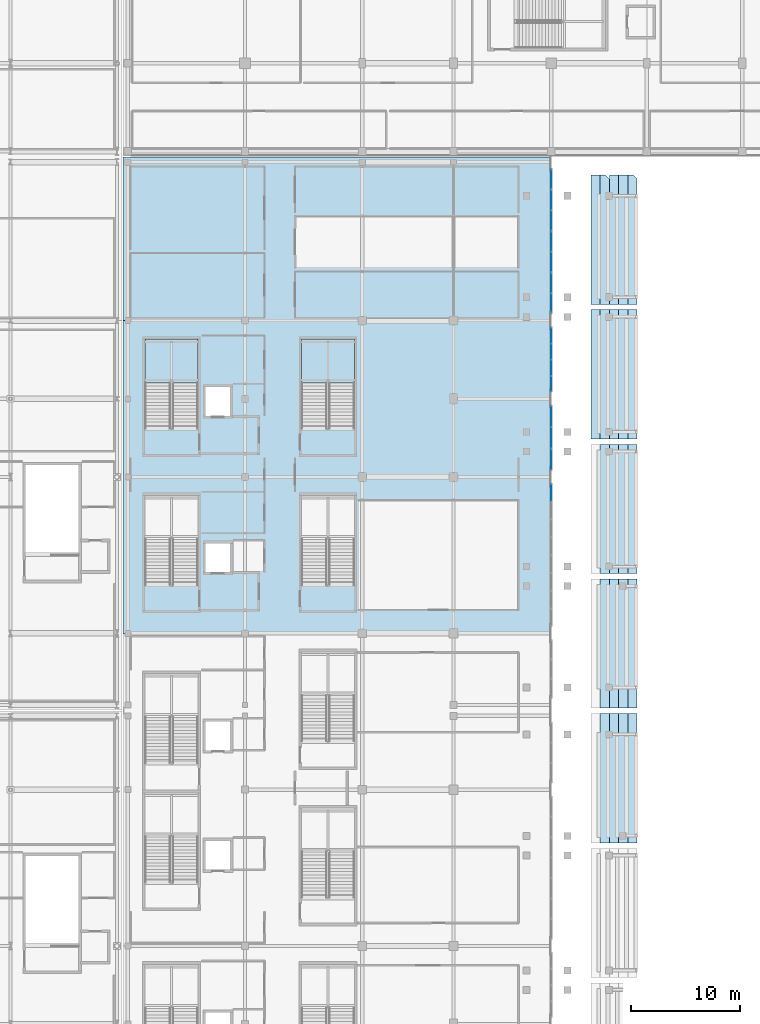
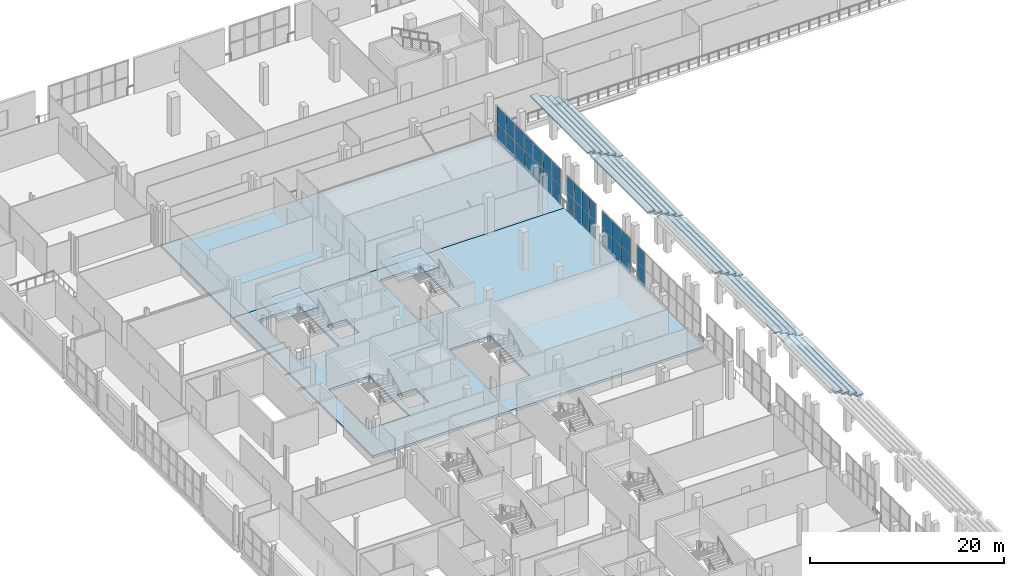
# One storey, part 77 of 142: 30 plates, 26 slabs, 6 elements without a shape of their own.
"""IFC4 building model written with IfcOpenShell, lengths in metres."""

from ifc_helpers import new_model, si_unit, direction, frame, origin, origin_2d, place, context, subcontext, project, spatial, polyline, rectangle, outline, extrude, material, layer, layer_set, type_object, element, aggregate, save


model = new_model("IFC4")

# Units and contexts
model_context = context("Model", 3, precision=1e-05, world=origin(), true_north=direction((0.0, 1.0)))
body_context = subcontext(model_context, "Body", "Model", "MODEL_VIEW")
ifc_project = project(units=[si_unit("LENGTHUNIT", "METRE"), si_unit("AREAUNIT", "SQUARE_METRE"), si_unit("VOLUMEUNIT", "CUBIC_METRE"), si_unit("PLANEANGLEUNIT", "RADIAN"), si_unit("MASSUNIT", "GRAM", prefix="KILO")], contexts=[model_context])

# Site, building, storey
site_placement = place(None, origin())
site = spatial("IfcSite", under=ifc_project, at=site_placement, CompositionType="ELEMENT")
building_placement = place(site_placement, origin())
building = spatial("IfcBuilding", under=site, at=building_placement, Name="Koshinbarg Plaza Stadium", CompositionType="ELEMENT")
storey_placement = place(building_placement, frame((0.0, 0.0, 10.199951171875)))
storey = spatial("IfcBuildingStorey", under=building, at=storey_placement, Name="L02", CompositionType="ELEMENT", Elevation=10.199951171875)

# Curtain wall, plates
ifc_material_1 = material(Name="Thermally broken anodised aluminium and low-E double glazing", Category="aluminium")
curtain_wall_type_1 = type_object("IfcCurtainWallType", Name="CW-SYS-09", PredefinedType="NOTDEFINED", material=ifc_material_1)
curtain_wall_1_placement = place(storey_placement, origin())
curtain_wall_1 = element("IfcCurtainWall", 1, at=curtain_wall_1_placement, inside=storey, type_object=curtain_wall_type_1, Name="L02 unitised curtain wall CW-L02-072", PredefinedType="NOTDEFINED")
ifc_material_2 = material(Name="Solar-control low-E double glazing unit", Category="glass")
ifc_layer_1 = layer(ifc_material_2, 0.028076171875)
ifc_layer_set_1 = layer_set([ifc_layer_1], Name="Solar-control low-E double glazing unit")
plate_type_1 = type_object("IfcPlateType", Name="CW-PNL-28", PredefinedType="CURTAIN_PANEL", material=ifc_layer_set_1)
plate_1_placement = place(storey_placement, frame((63.60009765625, 110.52001953125, 0.06005859375), z_axis=(0.0, 0.0, 1.0), x_axis=(0.0, -1.0, 0.0)))
plate_1 = element("IfcPlate", 2, at=plate_1_placement, type_object=plate_type_1, Name="CW09 panel 1.1", PredefinedType="CURTAIN_PANEL", context=body_context, shape_type="SweptSolid", body=[
    extrude(rectangle(XDim=1.39990234375, YDim=0.028076171875, at=origin_2d()), origin(), (0.0, 0.0, 1.0), 2.239501953125),
])
plate_2_placement = place(storey_placement, frame((63.60009765625, 110.52001953125, 2.35986328125), z_axis=(0.0, 0.0, 1.0), x_axis=(0.0, -1.0, 0.0)))
plate_2 = element("IfcPlate", 3, at=plate_2_placement, type_object=plate_type_1, Name="CW09 panel 1.2", PredefinedType="CURTAIN_PANEL", context=body_context, shape_type="SweptSolid", body=[
    extrude(rectangle(XDim=1.39990234375, YDim=0.028076171875, at=origin_2d()), origin(), (0.0, 0.0, 1.0), 2.060302734375),
])
plate_3_placement = place(storey_placement, frame((63.60009765625, 109.044921875, 0.06005859375), z_axis=(0.0, 0.0, 1.0), x_axis=(0.0, -1.0, 0.0)))
plate_3 = element("IfcPlate", 4, at=plate_3_placement, type_object=plate_type_1, Name="CW09 panel 2.1", PredefinedType="CURTAIN_PANEL", context=body_context, shape_type="SweptSolid", body=[
    extrude(rectangle(XDim=1.429931640625, YDim=0.028076171875, at=origin_2d()), origin(), (0.0, 0.0, 1.0), 2.239501953125),
])
plate_4_placement = place(storey_placement, frame((63.60009765625, 109.044921875, 2.35986328125), z_axis=(0.0, 0.0, 1.0), x_axis=(0.0, -1.0, 0.0)))
plate_4 = element("IfcPlate", 5, at=plate_4_placement, type_object=plate_type_1, Name="CW09 panel 2.2", PredefinedType="CURTAIN_PANEL", context=body_context, shape_type="SweptSolid", body=[
    extrude(rectangle(XDim=1.429931640625, YDim=0.028076171875, at=origin_2d()), origin(), (0.0, 0.0, 1.0), 2.060302734375),
])
plate_5_placement = place(storey_placement, frame((63.60009765625, 107.554931640625, 0.06005859375), z_axis=(0.0, 0.0, 1.0), x_axis=(0.0, -1.0, 0.0)))
plate_5 = element("IfcPlate", 6, at=plate_5_placement, type_object=plate_type_1, Name="CW09 panel 3.1", PredefinedType="CURTAIN_PANEL", context=body_context, shape_type="SweptSolid", body=[
    extrude(rectangle(XDim=1.429931640625, YDim=0.028076171875, at=origin_2d()), origin(), (0.0, 0.0, 1.0), 2.239501953125),
])
plate_6_placement = place(storey_placement, frame((63.60009765625, 107.554931640625, 2.35986328125), z_axis=(0.0, 0.0, 1.0), x_axis=(0.0, -1.0, 0.0)))
plate_6 = element("IfcPlate", 7, at=plate_6_placement, type_object=plate_type_1, Name="CW09 panel 3.2", PredefinedType="CURTAIN_PANEL", context=body_context, shape_type="SweptSolid", body=[
    extrude(rectangle(XDim=1.429931640625, YDim=0.028076171875, at=origin_2d()), origin(), (0.0, 0.0, 1.0), 2.060302734375),
])
plate_7_placement = place(storey_placement, frame((63.60009765625, 106.080078125, 0.06005859375), z_axis=(0.0, 0.0, 1.0), x_axis=(0.0, -1.0, 0.0)))
plate_7 = element("IfcPlate", 8, at=plate_7_placement, type_object=plate_type_1, Name="CW09 panel 4.1", PredefinedType="CURTAIN_PANEL", context=body_context, shape_type="SweptSolid", body=[
    extrude(rectangle(XDim=1.39990234375, YDim=0.028076171875, at=origin_2d()), origin(), (0.0, 0.0, 1.0), 2.239501953125),
])
plate_8_placement = place(storey_placement, frame((63.60009765625, 106.080078125, 2.35986328125), z_axis=(0.0, 0.0, 1.0), x_axis=(0.0, -1.0, 0.0)))
plate_8 = element("IfcPlate", 9, at=plate_8_placement, type_object=plate_type_1, Name="CW09 panel 4.2", PredefinedType="CURTAIN_PANEL", context=body_context, shape_type="SweptSolid", body=[
    extrude(rectangle(XDim=1.39990234375, YDim=0.028076171875, at=origin_2d()), origin(), (0.0, 0.0, 1.0), 2.060302734375),
])
aggregate(curtain_wall_1, [plate_1, plate_2, plate_3, plate_4, plate_5, plate_6, plate_7, plate_8])

curtain_wall_type_2 = type_object("IfcCurtainWallType", Name="CW-SYS-11", PredefinedType="NOTDEFINED", material=ifc_material_1)
curtain_wall_2_placement = place(storey_placement, origin())
curtain_wall_2 = element("IfcCurtainWall", 10, at=curtain_wall_2_placement, inside=storey, type_object=curtain_wall_type_2, Name="L02 unitised curtain wall CW-L02-074", PredefinedType="NOTDEFINED")
plate_9_placement = place(storey_placement, frame((63.60009765625, 96.04248046875, 0.06005859375), z_axis=(0.0, 0.0, 1.0), x_axis=(0.0, -1.0, 0.0)))
plate_9 = element("IfcPlate", 11, at=plate_9_placement, type_object=plate_type_1, Name="CW11 panel 1.1", PredefinedType="CURTAIN_PANEL", context=body_context, shape_type="SweptSolid", body=[
    extrude(rectangle(XDim=1.554931640625, YDim=0.028076171875, at=origin_2d()), origin(), (0.0, 0.0, 1.0), 2.239501953125),
])
plate_10_placement = place(storey_placement, frame((63.60009765625, 96.04248046875, 2.35986328125), z_axis=(0.0, 0.0, 1.0), x_axis=(0.0, -1.0, 0.0)))
plate_10 = element("IfcPlate", 12, at=plate_10_placement, type_object=plate_type_1, Name="CW11 panel 1.2", PredefinedType="CURTAIN_PANEL", context=body_context, shape_type="SweptSolid", body=[
    extrude(rectangle(XDim=1.554931640625, YDim=0.028076171875, at=origin_2d()), origin(), (0.0, 0.0, 1.0), 2.060302734375),
])
aggregate(curtain_wall_2, [plate_9, plate_10])

curtain_wall_type_3 = type_object("IfcCurtainWallType", Name="CW-SYS-08", PredefinedType="NOTDEFINED", material=ifc_material_1)
curtain_wall_3_placement = place(storey_placement, origin())
curtain_wall_3 = element("IfcCurtainWall", 13, at=curtain_wall_3_placement, inside=storey, type_object=curtain_wall_type_3, Name="L02 unitised curtain wall CW-L02-071", PredefinedType="NOTDEFINED")
ifc_material_3 = material(Name="Acoustic solar-control double glazing unit", Category="glass")
ifc_layer_2 = layer(ifc_material_3, 0.031982421875)
ifc_layer_set_2 = layer_set([ifc_layer_2], Name="Acoustic solar-control double glazing unit")
plate_type_2 = type_object("IfcPlateType", Name="CW-PNL-32", PredefinedType="CURTAIN_PANEL", material=ifc_layer_set_2)
plate_11_placement = place(storey_placement, frame((63.60009765625, 124.91064453125, 0.06005859375), z_axis=(0.0, 0.0, 1.0), x_axis=(0.0, -1.0, 0.0)))
plate_11 = element("IfcPlate", 14, at=plate_11_placement, type_object=plate_type_2, Name="CW08 panel 1.1", PredefinedType="CURTAIN_PANEL", context=body_context, shape_type="SweptSolid", body=[
    extrude(rectangle(XDim=1.818603515625, YDim=0.031982421875, at=origin_2d()), origin(), (0.0, 0.0, 1.0), 2.239501953125),
])
plate_12_placement = place(storey_placement, frame((63.60009765625, 124.91064453125, 2.35986328125), z_axis=(0.0, 0.0, 1.0), x_axis=(0.0, -1.0, 0.0)))
plate_12 = element("IfcPlate", 15, at=plate_12_placement, type_object=plate_type_2, Name="CW08 panel 1.2", PredefinedType="CURTAIN_PANEL", context=body_context, shape_type="SweptSolid", body=[
    extrude(rectangle(XDim=1.818603515625, YDim=0.031982421875, at=origin_2d()), origin(), (0.0, 0.0, 1.0), 2.060302734375),
])
plate_13_placement = place(storey_placement, frame((63.60009765625, 123.01708984375, 0.06005859375), z_axis=(0.0, 0.0, 1.0), x_axis=(0.0, -1.0, 0.0)))
plate_13 = element("IfcPlate", 16, at=plate_13_placement, type_object=plate_type_2, Name="CW08 panel 2.1", PredefinedType="CURTAIN_PANEL", context=body_context, shape_type="SweptSolid", body=[
    extrude(rectangle(XDim=1.8486328125, YDim=0.031982421875, at=origin_2d()), origin(), (0.0, 0.0, 1.0), 2.239501953125),
])
plate_14_placement = place(storey_placement, frame((63.60009765625, 123.01708984375, 2.35986328125), z_axis=(0.0, 0.0, 1.0), x_axis=(0.0, -1.0, 0.0)))
plate_14 = element("IfcPlate", 17, at=plate_14_placement, type_object=plate_type_2, Name="CW08 panel 2.2", PredefinedType="CURTAIN_PANEL", context=body_context, shape_type="SweptSolid", body=[
    extrude(rectangle(XDim=1.8486328125, YDim=0.031982421875, at=origin_2d()), origin(), (0.0, 0.0, 1.0), 2.060302734375),
])
plate_15_placement = place(storey_placement, frame((63.60009765625, 121.108642578125, 0.06005859375), z_axis=(0.0, 0.0, 1.0), x_axis=(0.0, -1.0, 0.0)))
plate_15 = element("IfcPlate", 18, at=plate_15_placement, type_object=plate_type_2, Name="CW08 panel 3.1", PredefinedType="CURTAIN_PANEL", context=body_context, shape_type="SweptSolid", body=[
    extrude(rectangle(XDim=1.8486328125, YDim=0.031982421875, at=origin_2d()), origin(), (0.0, 0.0, 1.0), 2.239501953125),
])
plate_16_placement = place(storey_placement, frame((63.60009765625, 121.108642578125, 2.35986328125), z_axis=(0.0, 0.0, 1.0), x_axis=(0.0, -1.0, 0.0)))
plate_16 = element("IfcPlate", 19, at=plate_16_placement, type_object=plate_type_2, Name="CW08 panel 3.2", PredefinedType="CURTAIN_PANEL", context=body_context, shape_type="SweptSolid", body=[
    extrude(rectangle(XDim=1.8486328125, YDim=0.031982421875, at=origin_2d()), origin(), (0.0, 0.0, 1.0), 2.060302734375),
])
plate_17_placement = place(storey_placement, frame((63.60009765625, 119.199951171875, 0.06005859375), z_axis=(0.0, 0.0, 1.0), x_axis=(0.0, -1.0, 0.0)))
plate_17 = element("IfcPlate", 20, at=plate_17_placement, type_object=plate_type_2, Name="CW08 panel 4.1", PredefinedType="CURTAIN_PANEL", context=body_context, shape_type="SweptSolid", body=[
    extrude(rectangle(XDim=1.8486328125, YDim=0.031982421875, at=origin_2d()), origin(), (0.0, 0.0, 1.0), 2.239501953125),
])
plate_18_placement = place(storey_placement, frame((63.60009765625, 119.199951171875, 2.35986328125), z_axis=(0.0, 0.0, 1.0), x_axis=(0.0, -1.0, 0.0)))
plate_18 = element("IfcPlate", 21, at=plate_18_placement, type_object=plate_type_2, Name="CW08 panel 4.2", PredefinedType="CURTAIN_PANEL", context=body_context, shape_type="SweptSolid", body=[
    extrude(rectangle(XDim=1.8486328125, YDim=0.031982421875, at=origin_2d()), origin(), (0.0, 0.0, 1.0), 2.060302734375),
])
plate_19_placement = place(storey_placement, frame((63.60009765625, 117.29150390625, 0.06005859375), z_axis=(0.0, 0.0, 1.0), x_axis=(0.0, -1.0, 0.0)))
plate_19 = element("IfcPlate", 22, at=plate_19_placement, type_object=plate_type_2, Name="CW08 panel 5.1", PredefinedType="CURTAIN_PANEL", context=body_context, shape_type="SweptSolid", body=[
    extrude(rectangle(XDim=1.8486328125, YDim=0.031982421875, at=origin_2d()), origin(), (0.0, 0.0, 1.0), 2.239501953125),
])
plate_20_placement = place(storey_placement, frame((63.60009765625, 117.29150390625, 2.35986328125), z_axis=(0.0, 0.0, 1.0), x_axis=(0.0, -1.0, 0.0)))
plate_20 = element("IfcPlate", 23, at=plate_20_placement, type_object=plate_type_2, Name="CW08 panel 5.2", PredefinedType="CURTAIN_PANEL", context=body_context, shape_type="SweptSolid", body=[
    extrude(rectangle(XDim=1.8486328125, YDim=0.031982421875, at=origin_2d()), origin(), (0.0, 0.0, 1.0), 2.060302734375),
])
plate_21_placement = place(storey_placement, frame((63.60009765625, 115.3828125, 0.06005859375), z_axis=(0.0, 0.0, 1.0), x_axis=(0.0, -1.0, 0.0)))
plate_21 = element("IfcPlate", 24, at=plate_21_placement, type_object=plate_type_2, Name="CW08 panel 6.1", PredefinedType="CURTAIN_PANEL", context=body_context, shape_type="SweptSolid", body=[
    extrude(rectangle(XDim=1.8486328125, YDim=0.031982421875, at=origin_2d()), origin(), (0.0, 0.0, 1.0), 2.239501953125),
])
plate_22_placement = place(storey_placement, frame((63.60009765625, 115.3828125, 2.35986328125), z_axis=(0.0, 0.0, 1.0), x_axis=(0.0, -1.0, 0.0)))
plate_22 = element("IfcPlate", 25, at=plate_22_placement, type_object=plate_type_2, Name="CW08 panel 6.2", PredefinedType="CURTAIN_PANEL", context=body_context, shape_type="SweptSolid", body=[
    extrude(rectangle(XDim=1.8486328125, YDim=0.031982421875, at=origin_2d()), origin(), (0.0, 0.0, 1.0), 2.060302734375),
])
plate_23_placement = place(storey_placement, frame((63.60009765625, 113.4892578125, 0.06005859375), z_axis=(0.0, 0.0, 1.0), x_axis=(0.0, -1.0, 0.0)))
plate_23 = element("IfcPlate", 26, at=plate_23_placement, type_object=plate_type_2, Name="CW08 panel 7.1", PredefinedType="CURTAIN_PANEL", context=body_context, shape_type="SweptSolid", body=[
    extrude(rectangle(XDim=1.818603515625, YDim=0.031982421875, at=origin_2d()), origin(), (0.0, 0.0, 1.0), 2.239501953125),
])
plate_24_placement = place(storey_placement, frame((63.60009765625, 113.4892578125, 2.35986328125), z_axis=(0.0, 0.0, 1.0), x_axis=(0.0, -1.0, 0.0)))
plate_24 = element("IfcPlate", 27, at=plate_24_placement, type_object=plate_type_2, Name="CW08 panel 7.2", PredefinedType="CURTAIN_PANEL", context=body_context, shape_type="SweptSolid", body=[
    extrude(rectangle(XDim=1.818603515625, YDim=0.031982421875, at=origin_2d()), origin(), (0.0, 0.0, 1.0), 2.060302734375),
])
aggregate(curtain_wall_3, [plate_11, plate_12, plate_13, plate_14, plate_15, plate_16, plate_17, plate_18, plate_19, plate_20, plate_21, plate_22, plate_23, plate_24])

curtain_wall_type_4 = type_object("IfcCurtainWallType", Name="CW-SYS-10", PredefinedType="NOTDEFINED", material=ifc_material_1)
curtain_wall_4_placement = place(storey_placement, origin())
curtain_wall_4 = element("IfcCurtainWall", 28, at=curtain_wall_4_placement, inside=storey, type_object=curtain_wall_type_4, Name="L02 unitised curtain wall CW-L02-073", PredefinedType="NOTDEFINED")
plate_25_placement = place(storey_placement, frame((63.60009765625, 103.07177734375, 0.06005859375), z_axis=(0.0, 0.0, 1.0), x_axis=(0.0, -1.0, 0.0)))
plate_25 = element("IfcPlate", 29, at=plate_25_placement, type_object=plate_type_2, Name="CW10 panel 1.1", PredefinedType="CURTAIN_PANEL", context=body_context, shape_type="SweptSolid", body=[
    extrude(rectangle(XDim=1.896728515625, YDim=0.031982421875, at=origin_2d()), origin(), (0.0, 0.0, 1.0), 2.239501953125),
])
plate_26_placement = place(storey_placement, frame((63.60009765625, 103.07177734375, 2.35986328125), z_axis=(0.0, 0.0, 1.0), x_axis=(0.0, -1.0, 0.0)))
plate_26 = element("IfcPlate", 30, at=plate_26_placement, type_object=plate_type_2, Name="CW10 panel 1.2", PredefinedType="CURTAIN_PANEL", context=body_context, shape_type="SweptSolid", body=[
    extrude(rectangle(XDim=1.896728515625, YDim=0.031982421875, at=origin_2d()), origin(), (0.0, 0.0, 1.0), 2.060302734375),
])
plate_27_placement = place(storey_placement, frame((63.60009765625, 101.10009765625, 0.06005859375), z_axis=(0.0, 0.0, 1.0), x_axis=(0.0, -1.0, 0.0)))
plate_27 = element("IfcPlate", 31, at=plate_27_placement, type_object=plate_type_2, Name="CW10 panel 2.1", PredefinedType="CURTAIN_PANEL", context=body_context, shape_type="SweptSolid", body=[
    extrude(rectangle(XDim=1.9267578125, YDim=0.031982421875, at=origin_2d()), origin(), (0.0, 0.0, 1.0), 2.239501953125),
])
plate_28_placement = place(storey_placement, frame((63.60009765625, 101.10009765625, 2.35986328125), z_axis=(0.0, 0.0, 1.0), x_axis=(0.0, -1.0, 0.0)))
plate_28 = element("IfcPlate", 32, at=plate_28_placement, type_object=plate_type_2, Name="CW10 panel 2.2", PredefinedType="CURTAIN_PANEL", context=body_context, shape_type="SweptSolid", body=[
    extrude(rectangle(XDim=1.9267578125, YDim=0.031982421875, at=origin_2d()), origin(), (0.0, 0.0, 1.0), 2.060302734375),
])
plate_29_placement = place(storey_placement, frame((63.60009765625, 99.12841796875, 0.06005859375), z_axis=(0.0, 0.0, 1.0), x_axis=(0.0, -1.0, 0.0)))
plate_29 = element("IfcPlate", 33, at=plate_29_placement, type_object=plate_type_2, Name="CW10 panel 3.1", PredefinedType="CURTAIN_PANEL", context=body_context, shape_type="SweptSolid", body=[
    extrude(rectangle(XDim=1.896728515625, YDim=0.031982421875, at=origin_2d()), origin(), (0.0, 0.0, 1.0), 2.239501953125),
])
plate_30_placement = place(storey_placement, frame((63.60009765625, 99.12841796875, 2.35986328125), z_axis=(0.0, 0.0, 1.0), x_axis=(0.0, -1.0, 0.0)))
plate_30 = element("IfcPlate", 34, at=plate_30_placement, type_object=plate_type_2, Name="CW10 panel 3.2", PredefinedType="CURTAIN_PANEL", context=body_context, shape_type="SweptSolid", body=[
    extrude(rectangle(XDim=1.896728515625, YDim=0.031982421875, at=origin_2d()), origin(), (0.0, 0.0, 1.0), 2.060302734375),
])
aggregate(curtain_wall_4, [plate_25, plate_26, plate_27, plate_28, plate_29, plate_30])

# Slabs
ifc_material_4 = material(Name="Concrete C35/45", Category="concrete")
ifc_layer_3 = layer(ifc_material_4, 0.300048828125)
ifc_layer_set_3 = layer_set([ifc_layer_3], Name="Concrete C35/45")
slab_type_1 = type_object("IfcSlabType", Name="SL-FLR-300", PredefinedType="FLOOR", material=ifc_layer_set_3)
slab_1_placement = place(storey_placement, frame((0.0, 0.0, -0.300048828125)))
element("IfcSlab", 35, at=slab_1_placement, inside=storey, type_object=slab_type_1, Name="L02 V1 structural slab 3", PredefinedType="FLOOR", context=body_context, shape_type="SweptSolid", body=[
    extrude(outline(polyline([(24.14501953125, 83.10009765625), (63.60009765625, 83.10009765625), (63.60009765625, 111.89990234375), (24.14501953125, 111.89990234375), (24.14501953125, 83.10009765625)]), holes=[polyline([(31.070068359375, 87.56005859375), (31.070068359375, 95.800048828125), (26.199951171875, 95.800048828125), (26.199951171875, 87.56005859375), (31.070068359375, 87.56005859375)]), polyline([(31.75, 88.699951171875), (34.050048828125, 88.699951171875), (34.050048828125, 91.39990234375), (31.75, 91.39990234375), (31.75, 88.699951171875)]), polyline([(31.070068359375, 101.9599609375), (31.070068359375, 110.199951171875), (26.199951171875, 110.199951171875), (26.199951171875, 101.9599609375), (31.070068359375, 101.9599609375)]), polyline([(31.75, 103.10009765625), (34.050048828125, 103.10009765625), (34.050048828125, 105.800048828125), (31.75, 105.800048828125), (31.75, 103.10009765625)]), polyline([(45.469970703125, 87.56005859375), (45.469970703125, 95.800048828125), (40.60009765625, 95.800048828125), (40.60009765625, 87.56005859375), (45.469970703125, 87.56005859375)]), polyline([(45.469970703125, 101.9599609375), (45.469970703125, 110.199951171875), (40.60009765625, 110.199951171875), (40.60009765625, 101.9599609375), (45.469970703125, 101.9599609375)])]), origin(), (0.0, 0.0, 1.0), 0.300048828125),
])
slab_2_placement = place(storey_placement, frame((0.0, 0.0, -0.300048828125)))
element("IfcSlab", 36, at=slab_2_placement, inside=storey, type_object=slab_type_1, Name="L02 V1 structural slab 4", PredefinedType="FLOOR", context=body_context, shape_type="SweptSolid", body=[
    extrude(outline(polyline([(24.14501953125, 111.89990234375), (63.60009765625, 111.89990234375), (63.60009765625, 126.955078125), (24.14501953125, 126.955078125), (24.14501953125, 111.89990234375)])), origin(), (0.0, 0.0, 1.0), 0.300048828125),
])

# Stair, slab
stair_type_1 = type_object("IfcStairType", Name="ST-CORE-48", PredefinedType="HALF_TURN_STAIR", material=ifc_material_4)
stair_1_placement = place(storey_placement, origin())
stair_1 = element("IfcStair", 37, at=stair_1_placement, inside=storey, type_object=stair_type_1, Name="L02 Protected Exit Stair C06", PredefinedType="HALF_TURN_STAIR")
ifc_layer_4 = layer(ifc_material_4, 0.320068359375)
ifc_layer_set_4 = layer_set([ifc_layer_4], Name="Concrete C35/45")
slab_type_2 = type_object("IfcSlabType", Name="SL-STLAND-280", PredefinedType="LANDING", material=ifc_layer_set_4)
slab_3_placement = place(storey_placement, frame((0.0, 0.0, 2.080078125)))
slab_3 = element("IfcSlab", 38, at=slab_3_placement, type_object=slab_type_2, Name="L02 Protected Exit Stair C06 landing 033", PredefinedType="LANDING", context=body_context, shape_type="SweptSolid", body=[
    extrude(outline(polyline([(31.070068359375, 106.159912109375), (31.070068359375, 110.199951171875), (26.199951171875, 110.199951171875), (26.199951171875, 106.159912109375), (31.070068359375, 106.159912109375)])), origin(), (0.0, 0.0, 1.0), 0.320068359375),
])
aggregate(stair_1, [slab_3])

stair_type_2 = type_object("IfcStairType", Name="ST-VOM-48", PredefinedType="HALF_TURN_STAIR", material=ifc_material_4)
stair_2_placement = place(storey_placement, origin())
stair_2 = element("IfcStair", 39, at=stair_2_placement, inside=storey, type_object=stair_type_2, Name="L02 Upper Vomitory Stair VX06", PredefinedType="HALF_TURN_STAIR")
slab_4_placement = place(storey_placement, frame((0.0, 0.0, 2.080078125)))
slab_4 = element("IfcSlab", 40, at=slab_4_placement, type_object=slab_type_2, Name="L02 Upper Vomitory Stair VX06 landing 092", PredefinedType="LANDING", context=body_context, shape_type="SweptSolid", body=[
    extrude(outline(polyline([(45.469970703125, 106.159912109375), (45.469970703125, 110.199951171875), (40.60009765625, 110.199951171875), (40.60009765625, 106.159912109375), (45.469970703125, 106.159912109375)])), origin(), (0.0, 0.0, 1.0), 0.320068359375),
])
aggregate(stair_2, [slab_4])

# Slabs
ifc_material_5 = material(Name="Precast concrete C40/50", Category="concrete")
ifc_layer_5 = layer(ifc_material_5, 0.199951171875)
ifc_layer_set_5 = layer_set([ifc_layer_5], Name="Precast concrete C40/50")
slab_type_3 = type_object("IfcSlabType", Name="SL-TIER-UT", PredefinedType="USERDEFINED", material=ifc_layer_set_5)
slab_5_placement = place(storey_placement, frame((0.0, 0.0, 2.820068359375)))
element("IfcSlab", 41, at=slab_5_placement, inside=storey, type_object=slab_type_3, Name="Stand upper seating tier UT-W04 row 1", ObjectType="SEATING TIER", PredefinedType="USERDEFINED", context=body_context, shape_type="SweptSolid", body=[
    extrude(outline(polyline([(70.64990234375, 63.800048828125), (71.5, 63.800048828125), (71.5, 75.699951171875), (70.64990234375, 75.699951171875), (70.64990234375, 63.800048828125)])), origin(), (0.0, 0.0, 1.0), 0.199951171875),
])
slab_6_placement = place(storey_placement, frame((0.0, 0.0, 3.260009765625)))
element("IfcSlab", 42, at=slab_6_placement, inside=storey, type_object=slab_type_3, Name="Stand upper seating tier UT-W04 row 2", ObjectType="SEATING TIER", PredefinedType="USERDEFINED", context=body_context, shape_type="SweptSolid", body=[
    extrude(outline(polyline([(69.800048828125, 63.800048828125), (70.64990234375, 63.800048828125), (70.64990234375, 75.699951171875), (69.800048828125, 75.699951171875), (69.800048828125, 63.800048828125)])), origin(), (0.0, 0.0, 1.0), 0.199951171875),
])
slab_7_placement = place(storey_placement, frame((0.0, 0.0, 3.699951171875)))
element("IfcSlab", 43, at=slab_7_placement, inside=storey, type_object=slab_type_3, Name="Stand upper seating tier UT-W04 row 3", ObjectType="SEATING TIER", PredefinedType="USERDEFINED", context=body_context, shape_type="SweptSolid", body=[
    extrude(outline(polyline([(68.949951171875, 63.800048828125), (69.800048828125, 63.800048828125), (69.800048828125, 75.699951171875), (68.949951171875, 75.699951171875), (68.949951171875, 63.800048828125)])), origin(), (0.0, 0.0, 1.0), 0.2001953125),
])
slab_8_placement = place(storey_placement, frame((0.0, 0.0, 4.14013671875)))
element("IfcSlab", 44, at=slab_8_placement, inside=storey, type_object=slab_type_3, Name="Stand upper seating tier UT-W04 row 4", ObjectType="SEATING TIER", PredefinedType="USERDEFINED", context=body_context, shape_type="SweptSolid", body=[
    extrude(outline(polyline([(68.10009765625, 63.800048828125), (68.949951171875, 63.800048828125), (68.949951171875, 75.699951171875), (68.10009765625, 75.699951171875), (68.10009765625, 63.800048828125)])), origin(), (0.0, 0.0, 1.0), 0.199951171875),
])
slab_9_placement = place(storey_placement, frame((0.0, 0.0, 2.820068359375)))
element("IfcSlab", 45, at=slab_9_placement, inside=storey, type_object=slab_type_3, Name="Stand upper seating tier UT-W05 row 1", ObjectType="SEATING TIER", PredefinedType="USERDEFINED", context=body_context, shape_type="SweptSolid", body=[
    extrude(outline(polyline([(70.64990234375, 76.199951171875), (71.5, 76.199951171875), (71.5, 88.10009765625), (70.64990234375, 88.10009765625), (70.64990234375, 76.199951171875)])), origin(), (0.0, 0.0, 1.0), 0.199951171875),
])
slab_10_placement = place(storey_placement, frame((0.0, 0.0, 3.260009765625)))
element("IfcSlab", 46, at=slab_10_placement, inside=storey, type_object=slab_type_3, Name="Stand upper seating tier UT-W05 row 2", ObjectType="SEATING TIER", PredefinedType="USERDEFINED", context=body_context, shape_type="SweptSolid", body=[
    extrude(outline(polyline([(69.800048828125, 76.199951171875), (70.64990234375, 76.199951171875), (70.64990234375, 88.10009765625), (69.800048828125, 88.10009765625), (69.800048828125, 76.199951171875)])), origin(), (0.0, 0.0, 1.0), 0.199951171875),
])
slab_11_placement = place(storey_placement, frame((0.0, 0.0, 3.699951171875)))
element("IfcSlab", 47, at=slab_11_placement, inside=storey, type_object=slab_type_3, Name="Stand upper seating tier UT-W05 row 3", ObjectType="SEATING TIER", PredefinedType="USERDEFINED", context=body_context, shape_type="SweptSolid", body=[
    extrude(outline(polyline([(68.949951171875, 76.199951171875), (69.800048828125, 76.199951171875), (69.800048828125, 88.10009765625), (68.949951171875, 88.10009765625), (68.949951171875, 76.199951171875)])), origin(), (0.0, 0.0, 1.0), 0.2001953125),
])
slab_12_placement = place(storey_placement, frame((0.0, 0.0, 4.14013671875)))
element("IfcSlab", 48, at=slab_12_placement, inside=storey, type_object=slab_type_3, Name="Stand upper seating tier UT-W05 row 4", ObjectType="SEATING TIER", PredefinedType="USERDEFINED", context=body_context, shape_type="SweptSolid", body=[
    extrude(outline(polyline([(68.10009765625, 76.199951171875), (68.949951171875, 76.199951171875), (68.949951171875, 88.10009765625), (68.10009765625, 88.10009765625), (68.10009765625, 76.199951171875)])), origin(), (0.0, 0.0, 1.0), 0.199951171875),
])
slab_13_placement = place(storey_placement, frame((0.0, 0.0, 2.820068359375)))
element("IfcSlab", 49, at=slab_13_placement, inside=storey, type_object=slab_type_3, Name="Stand upper seating tier UT-W06 row 1", ObjectType="SEATING TIER", PredefinedType="USERDEFINED", context=body_context, shape_type="SweptSolid", body=[
    extrude(outline(polyline([(70.64990234375, 88.60009765625), (71.5, 88.60009765625), (71.5, 100.5), (70.64990234375, 100.5), (70.64990234375, 88.60009765625)])), origin(), (0.0, 0.0, 1.0), 0.199951171875),
])
slab_14_placement = place(storey_placement, frame((0.0, 0.0, 3.260009765625)))
element("IfcSlab", 50, at=slab_14_placement, inside=storey, type_object=slab_type_3, Name="Stand upper seating tier UT-W06 row 2", ObjectType="SEATING TIER", PredefinedType="USERDEFINED", context=body_context, shape_type="SweptSolid", body=[
    extrude(outline(polyline([(69.800048828125, 88.60009765625), (70.64990234375, 88.60009765625), (70.64990234375, 100.5), (69.800048828125, 100.5), (69.800048828125, 88.60009765625)])), origin(), (0.0, 0.0, 1.0), 0.199951171875),
])
slab_15_placement = place(storey_placement, frame((0.0, 0.0, 3.699951171875)))
element("IfcSlab", 51, at=slab_15_placement, inside=storey, type_object=slab_type_3, Name="Stand upper seating tier UT-W06 row 3", ObjectType="SEATING TIER", PredefinedType="USERDEFINED", context=body_context, shape_type="SweptSolid", body=[
    extrude(outline(polyline([(68.949951171875, 88.60009765625), (69.800048828125, 88.60009765625), (69.800048828125, 100.5), (68.949951171875, 100.5), (68.949951171875, 88.60009765625)])), origin(), (0.0, 0.0, 1.0), 0.2001953125),
])
slab_16_placement = place(storey_placement, frame((0.0, 0.0, 4.14013671875)))
element("IfcSlab", 52, at=slab_16_placement, inside=storey, type_object=slab_type_3, Name="Stand upper seating tier UT-W06 row 4", ObjectType="SEATING TIER", PredefinedType="USERDEFINED", context=body_context, shape_type="SweptSolid", body=[
    extrude(outline(polyline([(68.10009765625, 88.60009765625), (68.949951171875, 88.60009765625), (68.949951171875, 100.5), (68.10009765625, 100.5), (68.10009765625, 88.60009765625)])), origin(), (0.0, 0.0, 1.0), 0.199951171875),
])
slab_17_placement = place(storey_placement, frame((0.0, 0.0, 2.820068359375)))
element("IfcSlab", 53, at=slab_17_placement, inside=storey, type_object=slab_type_3, Name="Stand upper seating tier UT-W07 row 1", ObjectType="SEATING TIER", PredefinedType="USERDEFINED", context=body_context, shape_type="SweptSolid", body=[
    extrude(outline(polyline([(70.64990234375, 101.0), (71.5, 101.0), (71.5, 112.89990234375), (70.64990234375, 112.89990234375), (70.64990234375, 101.0)])), origin(), (0.0, 0.0, 1.0), 0.199951171875),
])
slab_18_placement = place(storey_placement, frame((0.0, 0.0, 3.260009765625)))
element("IfcSlab", 54, at=slab_18_placement, inside=storey, type_object=slab_type_3, Name="Stand upper seating tier UT-W07 row 2", ObjectType="SEATING TIER", PredefinedType="USERDEFINED", context=body_context, shape_type="SweptSolid", body=[
    extrude(outline(polyline([(69.800048828125, 101.0), (70.64990234375, 101.0), (70.64990234375, 112.89990234375), (69.800048828125, 112.89990234375), (69.800048828125, 101.0)])), origin(), (0.0, 0.0, 1.0), 0.199951171875),
])
slab_19_placement = place(storey_placement, frame((0.0, 0.0, 3.699951171875)))
element("IfcSlab", 55, at=slab_19_placement, inside=storey, type_object=slab_type_3, Name="Stand upper seating tier UT-W07 row 3", ObjectType="SEATING TIER", PredefinedType="USERDEFINED", context=body_context, shape_type="SweptSolid", body=[
    extrude(outline(polyline([(68.949951171875, 101.0), (69.800048828125, 101.0), (69.800048828125, 112.89990234375), (68.949951171875, 112.89990234375), (68.949951171875, 101.0)])), origin(), (0.0, 0.0, 1.0), 0.2001953125),
])
slab_20_placement = place(storey_placement, frame((0.0, 0.0, 4.14013671875)))
element("IfcSlab", 56, at=slab_20_placement, inside=storey, type_object=slab_type_3, Name="Stand upper seating tier UT-W07 row 4", ObjectType="SEATING TIER", PredefinedType="USERDEFINED", context=body_context, shape_type="SweptSolid", body=[
    extrude(outline(polyline([(68.10009765625, 101.0), (68.949951171875, 101.0), (68.949951171875, 112.89990234375), (68.10009765625, 112.89990234375), (68.10009765625, 101.0)])), origin(), (0.0, 0.0, 1.0), 0.199951171875),
])
slab_21_placement = place(storey_placement, frame((0.0, 0.0, 4.580078125)))
element("IfcSlab", 57, at=slab_21_placement, inside=storey, type_object=slab_type_3, Name="Stand upper seating tier UT-W07 row 5", ObjectType="SEATING TIER", PredefinedType="USERDEFINED", context=body_context, shape_type="SweptSolid", body=[
    extrude(outline(polyline([(67.25, 101.0), (68.10009765625, 101.0), (68.10009765625, 112.89990234375), (67.25, 112.89990234375), (67.25, 101.0)])), origin(), (0.0, 0.0, 1.0), 0.199951171875),
])
slab_22_placement = place(storey_placement, frame((0.0, 0.0, 2.820068359375)))
element("IfcSlab", 58, at=slab_22_placement, inside=storey, type_object=slab_type_3, Name="Stand upper seating tier UT-W08 row 1", ObjectType="SEATING TIER", PredefinedType="USERDEFINED", context=body_context, shape_type="SweptSolid", body=[
    extrude(outline(polyline([(70.64990234375, 113.39990234375), (71.5, 113.39990234375), (71.5, 124.949951171875), (71.14990234375, 125.300048828125), (70.64990234375, 125.300048828125), (70.64990234375, 113.39990234375)])), origin(), (0.0, 0.0, 1.0), 0.199951171875),
])
slab_23_placement = place(storey_placement, frame((0.0, 0.0, 3.260009765625)))
element("IfcSlab", 59, at=slab_23_placement, inside=storey, type_object=slab_type_3, Name="Stand upper seating tier UT-W08 row 2", ObjectType="SEATING TIER", PredefinedType="USERDEFINED", context=body_context, shape_type="SweptSolid", body=[
    extrude(outline(polyline([(69.800048828125, 113.39990234375), (70.64990234375, 113.39990234375), (70.64990234375, 125.300048828125), (69.800048828125, 125.300048828125), (69.800048828125, 113.39990234375)])), origin(), (0.0, 0.0, 1.0), 0.199951171875),
])
slab_24_placement = place(storey_placement, frame((0.0, 0.0, 3.699951171875)))
element("IfcSlab", 60, at=slab_24_placement, inside=storey, type_object=slab_type_3, Name="Stand upper seating tier UT-W08 row 3", ObjectType="SEATING TIER", PredefinedType="USERDEFINED", context=body_context, shape_type="SweptSolid", body=[
    extrude(outline(polyline([(68.949951171875, 113.39990234375), (69.800048828125, 113.39990234375), (69.800048828125, 125.300048828125), (68.949951171875, 125.300048828125), (68.949951171875, 113.39990234375)])), origin(), (0.0, 0.0, 1.0), 0.2001953125),
])
slab_25_placement = place(storey_placement, frame((0.0, 0.0, 4.14013671875)))
element("IfcSlab", 61, at=slab_25_placement, inside=storey, type_object=slab_type_3, Name="Stand upper seating tier UT-W08 row 4", ObjectType="SEATING TIER", PredefinedType="USERDEFINED", context=body_context, shape_type="SweptSolid", body=[
    extrude(outline(polyline([(68.10009765625, 113.39990234375), (68.949951171875, 113.39990234375), (68.949951171875, 124.949951171875), (68.60009765625, 125.300048828125), (68.10009765625, 125.300048828125), (68.10009765625, 113.39990234375)])), origin(), (0.0, 0.0, 1.0), 0.199951171875),
])
slab_26_placement = place(storey_placement, frame((0.0, 0.0, 4.580078125)))
element("IfcSlab", 62, at=slab_26_placement, inside=storey, type_object=slab_type_3, Name="Stand upper seating tier UT-W08 row 5", ObjectType="SEATING TIER", PredefinedType="USERDEFINED", context=body_context, shape_type="SweptSolid", body=[
    extrude(outline(polyline([(67.25, 113.39990234375), (68.10009765625, 113.39990234375), (68.10009765625, 125.300048828125), (67.25, 125.300048828125), (67.25, 113.39990234375)])), origin(), (0.0, 0.0, 1.0), 0.199951171875),
])

save(model, "model.ifc")
